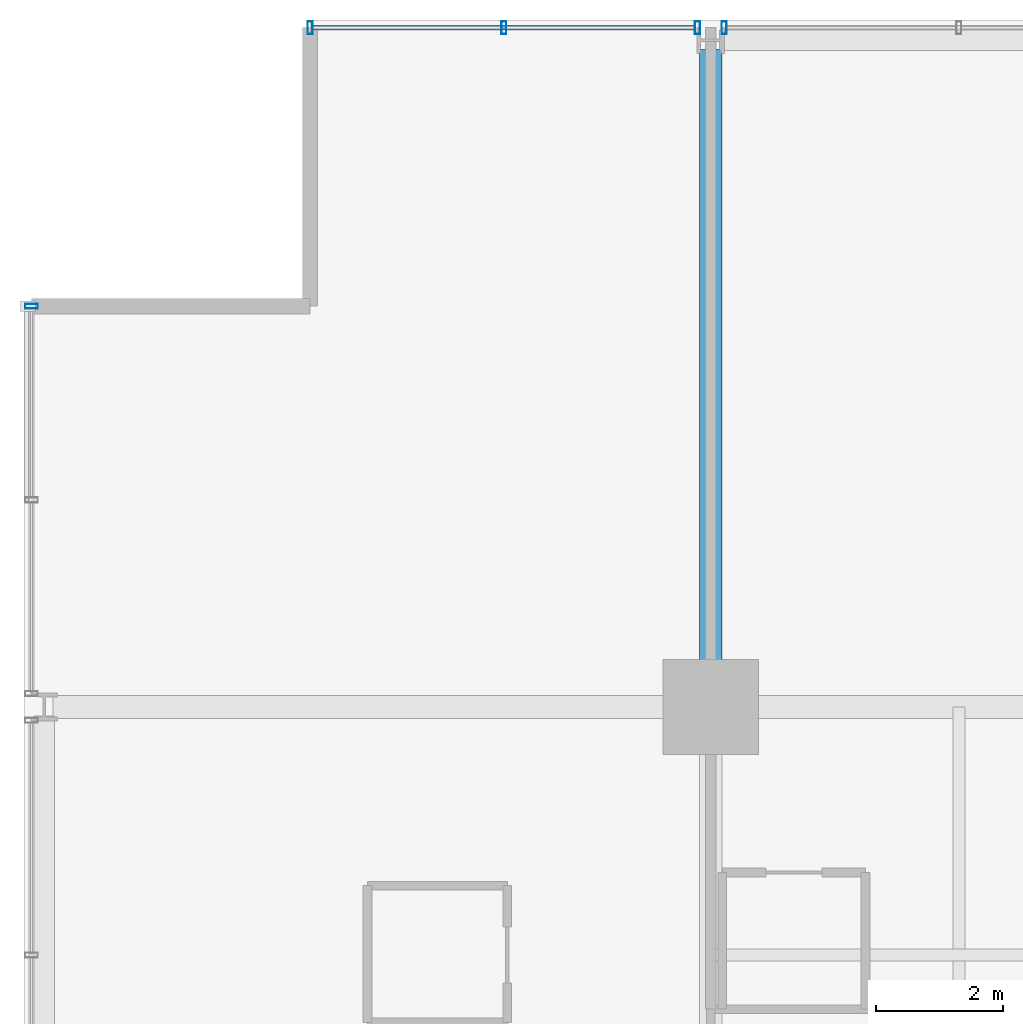
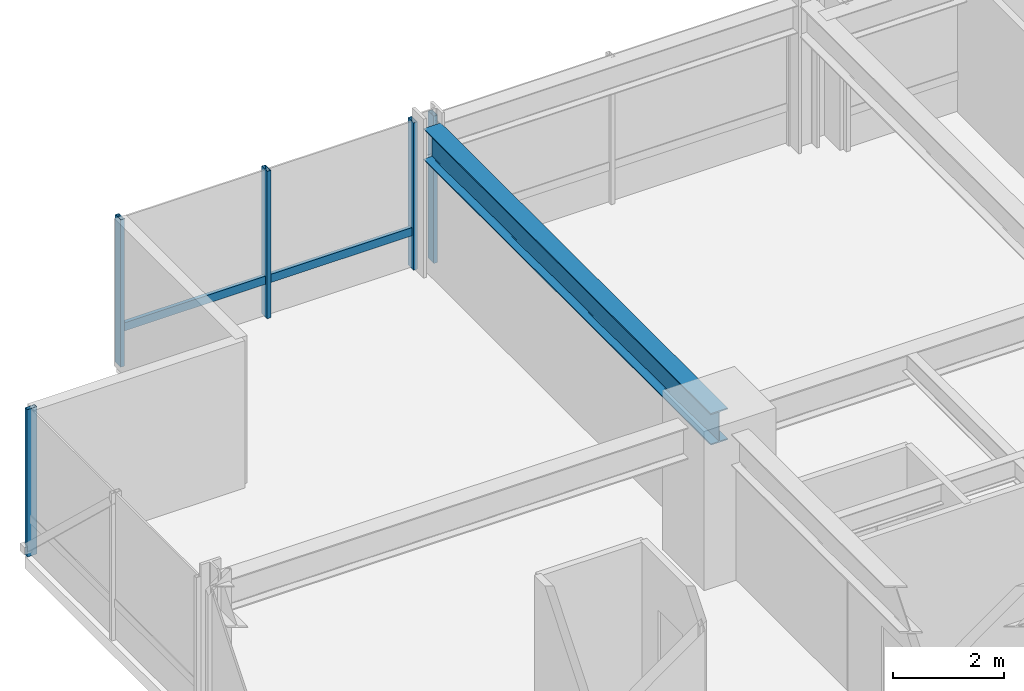
# One storey, part 20 of 33: 6 members, 1 beam, 3 elements without a shape of their own.
"""IFC4 building model written with IfcOpenShell, lengths in metres."""

from ifc_helpers import new_model, si_unit, direction, frame, origin, origin_2d, place, context, subcontext, project, spatial, hollow_rectangle, i_section, extrude, material, layer, layer_set, material_profile, profile_set, type_object, element, aggregate, save


model = new_model("IFC4")

# Units and contexts
model_context = context("Model", 3, precision=1e-05, world=origin(), true_north=direction((0.0, 1.0)))
body_context = subcontext(model_context, "Body", "Model", "MODEL_VIEW")
ifc_project = project(units=[si_unit("LENGTHUNIT", "METRE"), si_unit("AREAUNIT", "SQUARE_METRE"), si_unit("VOLUMEUNIT", "CUBIC_METRE"), si_unit("PLANEANGLEUNIT", "RADIAN"), si_unit("MASSUNIT", "GRAM", prefix="KILO")], contexts=[model_context])

# Site, building, storey
site_placement = place(None, origin())
site = spatial("IfcSite", under=ifc_project, at=site_placement, CompositionType="ELEMENT")
building_placement = place(site_placement, origin())
building = spatial("IfcBuilding", under=site, at=building_placement, Name="Drelvath Grand Hotel", CompositionType="ELEMENT")
storey_placement = place(building_placement, frame((0.0, 0.0, 119.800048828125)))
storey = spatial("IfcBuildingStorey", under=building, at=storey_placement, Name="L30", CompositionType="ELEMENT", Elevation=119.800048828125)

# Curtain wall, member
ifc_material_1 = material(Name="Champagne Bronze Anodised Aluminium Frame", Category="aluminium")
ifc_layer = layer(ifc_material_1, 0.199951171875)
ifc_layer_set = layer_set([ifc_layer], Name="Champagne Bronze Anodised Aluminium Frame")
curtain_wall_type = type_object("IfcCurtainWallType", Name="Stick Curtain Wall CW-03 Champagne Bronze Mid-Rise", PredefinedType="NOTDEFINED", material=ifc_layer_set)
curtain_wall_1_placement = place(storey_placement, origin())
curtain_wall_1 = element("IfcCurtainWall", 1, at=curtain_wall_1_placement, inside=storey, type_object=curtain_wall_type, Name="L30 CW-03 Curtain Wall CW03-L30-NW1", PredefinedType="NOTDEFINED")
ifc_material_profile_1 = material_profile(ifc_material_1, hollow_rectangle(XDim=0.074951171875, YDim=0.179931640625, WallThickness=0.0048828125, at=origin_2d()), Name="HSS180X75X5")
ifc_profile_set_1 = profile_set([ifc_material_profile_1], Name="Champagne Bronze Anodised Aluminium Frame")
member_type_1 = type_object("IfcMemberType", Name="Curtain Wall Horizontal Transom CW-03 HSS180X75X5", PredefinedType="USERDEFINED", material=ifc_profile_set_1)
member_1_placement = place(storey_placement, frame((-22.4599609375, 53.8798828125, 0.81005859375), z_axis=(1.0, 0.0, 0.0), x_axis=(0.0, 1.0, 0.0)))
member_1 = element("IfcMember", 2, at=member_1_placement, type_object=member_type_1, Name="CW03-L30-NW1 Sill Transom", ObjectType="TRANSOM", PredefinedType="USERDEFINED", context=body_context, shape_type="SweptSolid", body=[
    extrude(hollow_rectangle(XDim=0.074951171875, YDim=0.179931640625, WallThickness=0.0048828125, at=origin_2d()), origin(), (0.0, 0.0, 1.0), 6.010498046875),
])

curtain_wall_2_placement = place(storey_placement, origin())
curtain_wall_2 = element("IfcCurtainWall", 3, at=curtain_wall_2_placement, inside=storey, type_object=curtain_wall_type, Name="L30 CW-03 Curtain Wall CW03-L30-WN3", PredefinedType="NOTDEFINED")
ifc_material_profile_2 = material_profile(ifc_material_1, hollow_rectangle(XDim=0.080078125, YDim=0.199951171875, WallThickness=0.0048828125, at=origin_2d()), Name="HSS200X80X5")
ifc_profile_set_2 = profile_set([ifc_material_profile_2], Name="Champagne Bronze Anodised Aluminium Frame")
member_type_2 = type_object("IfcMemberType", Name="Curtain Wall Vertical Mullion CW-03 HSS200X80X5", PredefinedType="MULLION", material=ifc_profile_set_2)
member_2_placement = place(storey_placement, frame((-26.8798828125, 49.5, 0.0), z_axis=(0.0, 0.0, 1.0), x_axis=(0.0, 1.0, 0.0)))
member_2 = element("IfcMember", 4, at=member_2_placement, type_object=member_type_2, Name="CW03-L30-WN3 Mullion 3", PredefinedType="MULLION", context=body_context, shape_type="SweptSolid", body=[
    extrude(hollow_rectangle(XDim=0.080078125, YDim=0.199951171875, WallThickness=0.0048828125, at=origin_2d()), origin(), (0.0, 0.0, 1.0), 3.239990234375),
])
aggregate(curtain_wall_2, [member_2])

# Member
member_3_placement = place(storey_placement, frame((-22.5, 53.8798828125, 0.0), z_axis=(0.0, 0.0, 1.0), x_axis=(1.0, 0.0, 0.0)))
member_3 = element("IfcMember", 5, at=member_3_placement, type_object=member_type_2, Name="CW03-L30-NW1 Mullion 1", PredefinedType="MULLION", context=body_context, shape_type="SweptSolid", body=[
    extrude(hollow_rectangle(XDim=0.080078125, YDim=0.199951171875, WallThickness=0.0048828125, at=origin_2d()), origin(), (0.0, 0.0, 1.0), 3.239990234375),
])

member_4_placement = place(storey_placement, frame((-19.45458984375, 53.8798828125, 0.0), z_axis=(0.0, 0.0, 1.0), x_axis=(1.0, 0.0, 0.0)))
member_4 = element("IfcMember", 6, at=member_4_placement, type_object=member_type_2, Name="CW03-L30-NW1 Mullion 2", PredefinedType="MULLION", context=body_context, shape_type="SweptSolid", body=[
    extrude(hollow_rectangle(XDim=0.080078125, YDim=0.199951171875, WallThickness=0.0048828125, at=origin_2d()), origin(), (0.0, 0.0, 1.0), 3.239990234375),
])

member_5_placement = place(storey_placement, frame((-16.409423828125, 53.8798828125, 0.0), z_axis=(0.0, 0.0, 1.0), x_axis=(1.0, 0.0, 0.0)))
member_5 = element("IfcMember", 7, at=member_5_placement, type_object=member_type_2, Name="CW03-L30-NW1 Mullion 3", PredefinedType="MULLION", context=body_context, shape_type="SweptSolid", body=[
    extrude(hollow_rectangle(XDim=0.080078125, YDim=0.199951171875, WallThickness=0.0048828125, at=origin_2d()), origin(), (0.0, 0.0, 1.0), 3.239990234375),
])

aggregate(curtain_wall_1, [member_3, member_4, member_5, member_1])

# Curtain wall, member
curtain_wall_3_placement = place(storey_placement, origin())
curtain_wall_3 = element("IfcCurtainWall", 8, at=curtain_wall_3_placement, inside=storey, type_object=curtain_wall_type, Name="L30 CW-03 Curtain Wall CW03-L30-NW2", PredefinedType="NOTDEFINED")
member_6_placement = place(storey_placement, frame((-15.990478515625, 53.8798828125, 0.0), z_axis=(0.0, 0.0, 1.0), x_axis=(1.0, 0.0, 0.0)))
member_6 = element("IfcMember", 9, at=member_6_placement, type_object=member_type_2, Name="CW03-L30-NW2 Mullion 1", PredefinedType="MULLION", context=body_context, shape_type="SweptSolid", body=[
    extrude(hollow_rectangle(XDim=0.080078125, YDim=0.199951171875, WallThickness=0.0048828125, at=origin_2d()), origin(), (0.0, 0.0, 1.0), 3.239990234375),
])
aggregate(curtain_wall_3, [member_6])

# Beam
ifc_material_2 = material(Name="Steel ASTM A992 Gr 50", Category="steel")
ifc_material_profile_3 = material_profile(ifc_material_2, i_section(OverallWidth=0.354736328125, OverallDepth=0.695556640625, WebThickness=0.015380859375, FlangeThickness=0.025146484375, FilletRadius=0.02392578125, at=origin_2d()), Name="W27X146")
ifc_profile_set_3 = profile_set([ifc_material_profile_3], Name="Steel ASTM A992 Gr 50")
beam_type = type_object("IfcBeamType", Name="Primary Floor Girder W27X146", PredefinedType="BEAM", material=ifc_profile_set_3)
beam_placement = place(storey_placement, frame((-16.199951171875, 43.199951171875, 2.892333984375), z_axis=(0.0, 1.0, 0.0), x_axis=(-1.0, 0.0, 0.0)))
element("IfcBeam", 10, at=beam_placement, inside=storey, type_object=beam_type, Name="L30 North Grid Girder 3", PredefinedType="BEAM", context=body_context, shape_type="SweptSolid", body=[
    extrude(i_section(OverallWidth=0.354736328125, OverallDepth=0.695556640625, WebThickness=0.015380859375, FlangeThickness=0.025146484375, FilletRadius=0.02392578125, at=origin_2d()), origin(), (0.0, 0.0, 1.0), 10.340087890625),
])

save(model, "model.ifc")
